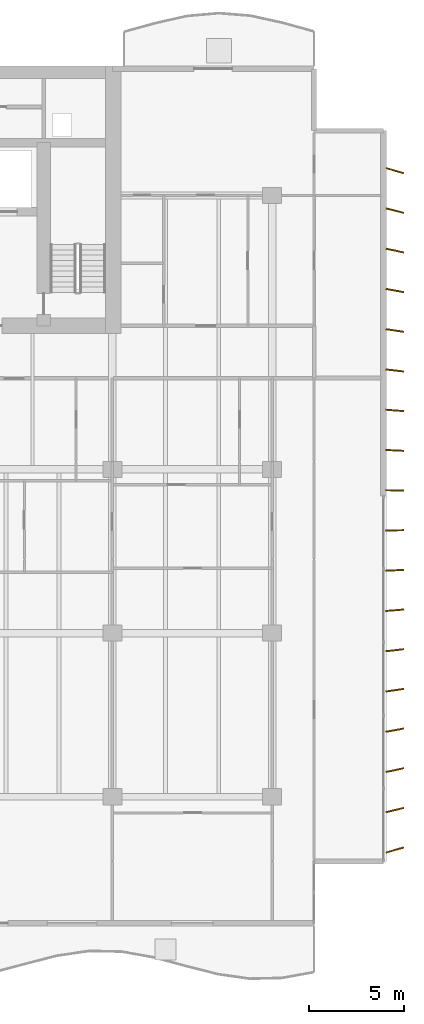
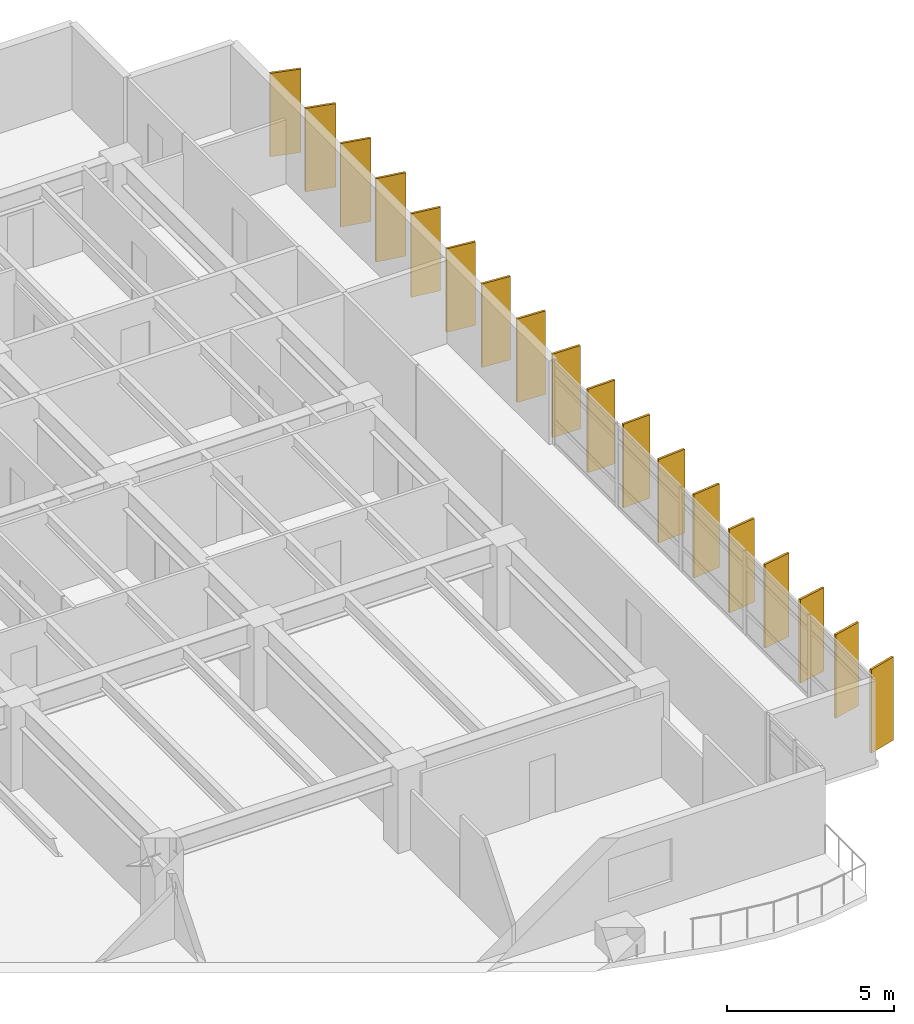
# One storey, part 16 of 16: 18 shading devices.
"""IFC4 building model written with IfcOpenShell, lengths in metres."""

from ifc_helpers import new_model, si_unit, direction, frame, origin, origin_2d, place, context, subcontext, project, spatial, rectangle, extrude, material, material_profile, profile_set, type_object, element, save


model = new_model("IFC4")

# Units and contexts
model_context = context("Model", 3, precision=1e-05, world=origin(), true_north=direction((0.0, 1.0)))
body_context = subcontext(model_context, "Body", "Model", "MODEL_VIEW")
ifc_project = project(units=[si_unit("LENGTHUNIT", "METRE"), si_unit("AREAUNIT", "SQUARE_METRE"), si_unit("VOLUMEUNIT", "CUBIC_METRE"), si_unit("PLANEANGLEUNIT", "RADIAN"), si_unit("MASSUNIT", "GRAM", prefix="KILO")], contexts=[model_context])

# Site, building, storey
site_placement = place(None, origin())
site = spatial("IfcSite", under=ifc_project, at=site_placement, CompositionType="ELEMENT")
building_placement = place(site_placement, origin())
building = spatial("IfcBuilding", under=site, at=building_placement, Name="Caelmar Bay Residences", CompositionType="ELEMENT")
storey_placement = place(building_placement, frame((0.0, 0.0, 145.5)))
storey = spatial("IfcBuildingStorey", under=building, at=storey_placement, Name="L40", CompositionType="ELEMENT", Elevation=145.5)

# Shading devices
ifc_material = material(Name="Anodised architectural bronze aluminium 6063-T6", Category="aluminium")
ifc_material_profile = material_profile(ifc_material, rectangle(XDim=0.074951171875, YDim=0.949951171875, at=origin_2d()), Name="BRONZE-FIN-75X950")
ifc_profile_set = profile_set([ifc_material_profile], Name="Anodised architectural bronze aluminium 6063-T6")
shading_device_type = type_object("IfcShadingDeviceType", Name="SHD-FIN-950", PredefinedType="USERDEFINED", material=ifc_profile_set)
for number, where, z_axis, x_axis, name in (
    (1, (74.35009765625, 9.39990234375, 0.0), (0.0, 0.0, 1.0), (-0.275637355817, 0.961261695938, 0.0), "L40 East Bronze Solar Fin 1"),
    (2, (74.35009765625, 11.5, 0.0), (0.0, 0.0, 1.0), (-0.243953546137, 0.969786918517, 0.0), "L40 East Bronze Solar Fin 2"),
    (3, (74.35009765625, 13.60009765625, 0.0), (0.0, 0.0, 1.0), (-0.212007109922, 0.977268123568, 0.0), "L40 East Bronze Solar Fin 3"),
    (4, (74.35009765625, 15.699951171875, 0.0), (0.0, 0.0, 1.0), (-0.179660748593, 0.98372862895, 0.0), "L40 East Bronze Solar Fin 4"),
    (5, (74.35009765625, 17.800048828125, 0.0), (0.0, 0.0, 1.0), (-0.147291543397, 0.989093120613, 0.0), "L40 East Bronze Solar Fin 5"),
    (6, (74.35009765625, 19.89990234375, 0.0), (0.0, 0.0, 1.0), (-0.114763772489, 0.993392810787, 0.0), "L40 East Bronze Solar Fin 6"),
    (7, (74.35009765625, 22.0, 0.0), (0.0, 0.0, 1.0), (-0.08211245342, 0.996623070671, 0.0), "L40 East Bronze Solar Fin 7"),
    (8, (74.35009765625, 24.10009765625, 0.0), (0.0, 0.0, 1.0), (-0.049198415926, 0.998789024705, 0.0), "L40 East Bronze Solar Fin 8"),
    (9, (74.35009765625, 26.199951171875, 0.0), (0.0, 0.0, 1.0), (-0.016405359001, 0.999865423043, 0.0), "L40 East Bronze Solar Fin 9"),
    (10, (74.35009765625, 28.300048828125, 0.0), (0.0, 0.0, 1.0), (0.016405359001, 0.999865423043, 0.0), "L40 East Bronze Solar Fin 10"),
    (11, (74.35009765625, 30.39990234375, 0.0), (0.0, 0.0, 1.0), (0.049198415926, 0.998789024705, 0.0), "L40 East Bronze Solar Fin 11"),
    (12, (74.35009765625, 32.5, 0.0), (0.0, 0.0, 1.0), (0.08211245342, 0.996623070671, 0.0), "L40 East Bronze Solar Fin 12"),
    (13, (74.35009765625, 34.60009765625, 0.0), (0.0, 0.0, 1.0), (0.114763772489, 0.993392810787, 0.0), "L40 East Bronze Solar Fin 13"),
    (14, (74.35009765625, 36.699951171875, 0.0), (0.0, 0.0, 1.0), (0.147291543397, 0.989093120613, 0.0), "L40 East Bronze Solar Fin 14"),
    (15, (74.35009765625, 38.800048828125, 0.0), (0.0, 0.0, 1.0), (0.179660748593, 0.98372862895, 0.0), "L40 East Bronze Solar Fin 15"),
    (16, (74.35009765625, 40.89990234375, 0.0), (0.0, 0.0, 1.0), (0.212007109922, 0.977268123568, 0.0), "L40 East Bronze Solar Fin 16"),
    (17, (74.35009765625, 43.0, 0.0), (0.0, 0.0, 1.0), (0.243953546137, 0.969786918517, 0.0), "L40 East Bronze Solar Fin 17"),
    (18, (74.35009765625, 45.10009765625, 0.0), (0.0, 0.0, 1.0), (0.275637355817, 0.961261695938, 0.0), "L40 East Bronze Solar Fin 18"),
):
    element("IfcShadingDevice", number, at=place(storey_placement, frame(where, z_axis=z_axis, x_axis=x_axis)), inside=storey, type_object=shading_device_type, Name=name, ObjectType="FIN", PredefinedType="USERDEFINED", context=body_context, shape_type="SweptSolid", body=[
        extrude(rectangle(XDim=0.074951171875, YDim=0.949951171875, at=origin_2d()), origin(), (0.0, 0.0, 1.0), 3.050048828125),
    ])

save(model, "model.ifc")
